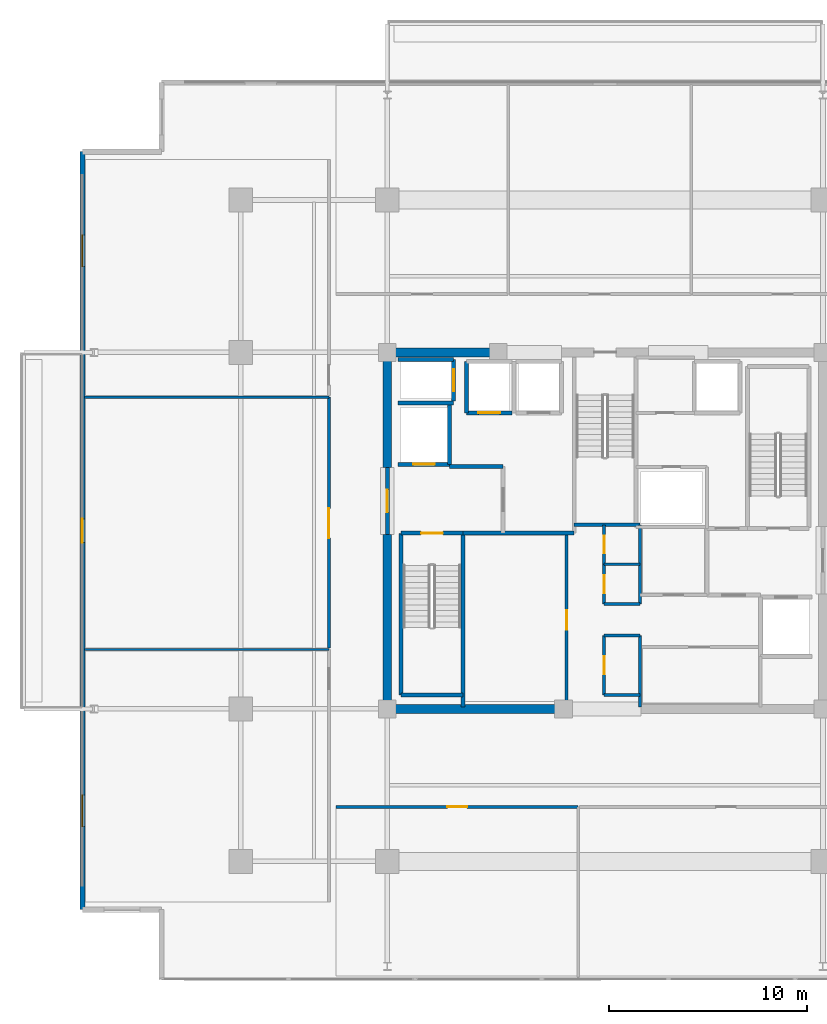
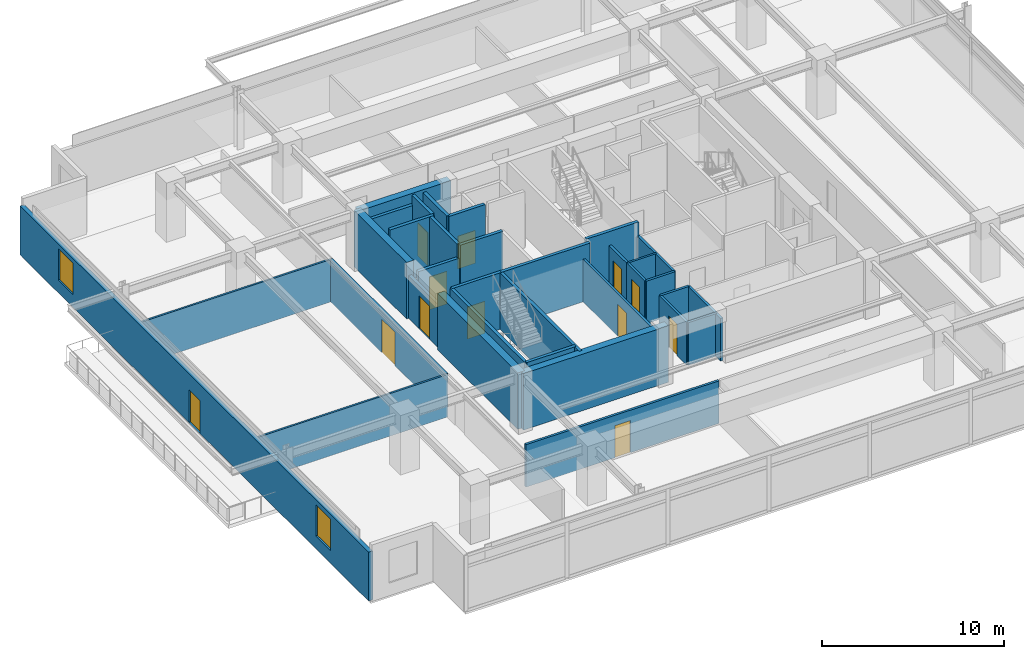
# One storey, part 13 of 18: 34 walls, 12 doors, 2 windows, 14 openings.
"""IFC4 building model written with IfcOpenShell, lengths in metres."""

from ifc_helpers import new_model, si_unit, direction, frame, frame_2d, origin, place, context, subcontext, project, spatial, rectangle, extrude, material, layer, layer_set, type_object, element, fill, save


model = new_model("IFC4")

# Units and contexts
model_context = context("Model", 3, precision=1e-05, world=origin(), true_north=direction((0.0, 1.0)))
body_context = subcontext(model_context, "Body", "Model", "MODEL_VIEW")
ifc_project = project(units=[si_unit("LENGTHUNIT", "METRE"), si_unit("AREAUNIT", "SQUARE_METRE"), si_unit("VOLUMEUNIT", "CUBIC_METRE"), si_unit("PLANEANGLEUNIT", "RADIAN"), si_unit("MASSUNIT", "GRAM", prefix="KILO")], contexts=[model_context])

# Site, building, storey
site_placement = place(None, origin())
site = spatial("IfcSite", under=ifc_project, at=site_placement, CompositionType="ELEMENT")
building_placement = place(site_placement, origin())
building = spatial("IfcBuilding", under=site, at=building_placement, Name="Kovane Verandah Tower", CompositionType="ELEMENT")
storey_placement = place(building_placement, frame((0.0, 0.0, 251.199951171875)))
storey = spatial("IfcBuildingStorey", under=building, at=storey_placement, Name="L58", CompositionType="ELEMENT", Elevation=251.199951171875)

# Walls
ifc_material_1 = material(Name="Fire-Rated Gypsum Stud Partition", Category="gypsum")
ifc_layer_1 = layer(ifc_material_1, 0.14990234375)
ifc_layer_set_1 = layer_set([ifc_layer_1], Name="Fire-Rated Gypsum Stud Partition")
wall_type_1 = type_object("IfcWallType", Name="WL-COR-150", PredefinedType="PARTITIONING", material=ifc_layer_set_1)
for number, where, z_axis, x_axis, name in (
    (1, (39.949951171875, 19.199951171875, 0.0), (0.0, 0.0, 1.0), (1.0, 0.0, 0.0), "L58 Central Core Strip South Wall"),
    (2, (39.949951171875, 22.199951171875, 0.0), (0.0, 0.0, 1.0), (1.0, 0.0, 0.0), "L58 Core Cross-Passage South Wall"),
    (3, (39.949951171875, 23.800048828125, 0.0), (0.0, 0.0, 1.0), (1.0, 0.0, 0.0), "L58 Core Cross-Passage North Wall"),
):
    element("IfcWall", number, at=place(storey_placement, frame(where, z_axis=z_axis, x_axis=x_axis)), inside=storey, type_object=wall_type_1, Name=name, PredefinedType="PARTITIONING", context=body_context, shape_type="SweptSolid", body=[
        extrude(rectangle(XDim=1.81005859375, YDim=0.14990234375, at=frame_2d((0.905029296875, 0.0))), origin(), (0.0, 0.0, 1.0), 2.85009765625),
    ])
wall_1_placement = place(storey_placement, frame((41.760009765625, 18.60009765625, 0.0), z_axis=(0.0, 0.0, 1.0), x_axis=(0.0, 1.0, 0.0)))
element("IfcWall", 4, at=wall_1_placement, inside=storey, type_object=wall_type_1, Name="L58 Central Core Strip Lower East Wall", PredefinedType="PARTITIONING", context=body_context, shape_type="SweptSolid", body=[
    extrude(rectangle(XDim=3.599853515625, YDim=0.14990234375, at=frame_2d((1.7998046875, 0.0))), origin(), (0.0, 0.0, 1.0), 2.85009765625),
])
wall_2_placement = place(storey_placement, frame((41.760009765625, 23.800048828125, 0.0), z_axis=(0.0, 0.0, 1.0), x_axis=(0.0, 1.0, 0.0)))
element("IfcWall", 5, at=wall_2_placement, inside=storey, type_object=wall_type_1, Name="L58 Central Core Strip Upper East Wall", PredefinedType="PARTITIONING", context=body_context, shape_type="SweptSolid", body=[
    extrude(rectangle(XDim=4.0, YDim=0.14990234375, at=frame_2d((2.0, 0.0))), origin(), (0.0, 0.0, 1.0), 2.85009765625),
])

# Wall, opening, door
wall_3_placement = place(storey_placement, frame((39.949951171875, 19.199951171875, 0.0), z_axis=(0.0, 0.0, 1.0), x_axis=(0.0, 1.0, 0.0)))
wall_3 = element("IfcWall", 6, at=wall_3_placement, inside=storey, type_object=wall_type_1, Name="L58 Male Toilet Partition", PredefinedType="PARTITIONING", context=body_context, shape_type="SweptSolid", body=[
    extrude(rectangle(XDim=3.0, YDim=0.14990234375, at=frame_2d((1.5, 0.0))), origin(), (0.0, 0.0, 1.0), 2.85009765625),
])
opening_1_placement = place(wall_3_placement, frame((1.050048828125, 0.0, 0.0)))
opening_1 = element("IfcOpeningElement", 7, at=opening_1_placement, cuts=wall_3, Name="Opening DR-L58-024", PredefinedType="OPENING", context=body_context, shape_type="SweptSolid", body=[
    extrude(rectangle(XDim=0.89990234375, YDim=2.10009765625, at=frame_2d((0.449951171875, 1.050048828125))), frame((0.0, 0.074951171875, 0.0), z_axis=(0.0, -1.0, 0.0), x_axis=(1.0, 0.0, 0.0)), (0.0, 0.0, 1.0), 0.14990234375),
])
ifc_material_2 = material(Name="Moisture-Resistant Laminate Washroom Door", Category="wood")
door_type_1 = type_object("IfcDoorType", Name="DR-WC-900", OperationType="SINGLE_SWING_LEFT", PredefinedType="DOOR", material=ifc_material_2)
door_1_placement = place(opening_1_placement, origin())
door_1 = element("IfcDoor", 8, at=door_1_placement, inside=storey, type_object=door_type_1, Name="L58 Male Toilet Door", OperationType="SINGLE_SWING_LEFT", OverallHeight=2.10009765625, OverallWidth=0.89990234375, PredefinedType="DOOR", context=body_context, shape_type="SweptSolid", body=[
    extrude(rectangle(XDim=0.89990234375, YDim=2.10009765625, at=frame_2d((0.449951171875, 1.050048828125))), frame((0.0, 0.02490234375, 0.0), z_axis=(0.0, -1.0, 0.0), x_axis=(1.0, 0.0, 0.0)), (0.0, 0.0, 1.0), 0.050048828125),
])
fill(opening_1, door_1)

wall_4_placement = place(storey_placement, frame((39.949951171875, 23.800048828125, 0.0), z_axis=(0.0, 0.0, 1.0), x_axis=(0.0, 1.0, 0.0)))
wall_4 = element("IfcWall", 9, at=wall_4_placement, inside=storey, type_object=wall_type_1, Name="L58 Female Toilet Partition", PredefinedType="PARTITIONING", context=body_context, shape_type="SweptSolid", body=[
    extrude(rectangle(XDim=2.0, YDim=0.14990234375, at=frame_2d((1.0, 0.0))), origin(), (0.0, 0.0, 1.0), 2.85009765625),
])
opening_2_placement = place(wall_4_placement, frame((0.550048828125, 0.0, 0.0)))
opening_2 = element("IfcOpeningElement", 10, at=opening_2_placement, cuts=wall_4, Name="Opening DR-L58-023", PredefinedType="OPENING", context=body_context, shape_type="SweptSolid", body=[
    extrude(rectangle(XDim=0.89990234375, YDim=2.10009765625, at=frame_2d((0.449951171875, 1.050048828125))), frame((0.0, 0.074951171875, 0.0), z_axis=(0.0, -1.0, 0.0), x_axis=(1.0, 0.0, 0.0)), (0.0, 0.0, 1.0), 0.14990234375),
])
door_2_placement = place(opening_2_placement, origin())
door_2 = element("IfcDoor", 11, at=door_2_placement, inside=storey, type_object=door_type_1, Name="L58 Female Toilet Door", OperationType="SINGLE_SWING_RIGHT", OverallHeight=2.10009765625, OverallWidth=0.89990234375, PredefinedType="DOOR", context=body_context, shape_type="SweptSolid", body=[
    extrude(rectangle(XDim=0.89990234375, YDim=2.10009765625, at=frame_2d((0.449951171875, 1.050048828125))), frame((0.0, 0.02490234375, 0.0), z_axis=(0.0, -1.0, 0.0), x_axis=(1.0, 0.0, 0.0)), (0.0, 0.0, 1.0), 0.050048828125),
])
fill(opening_2, door_2)

wall_5_placement = place(storey_placement, frame((39.949951171875, 25.800048828125, 0.0), z_axis=(0.0, 0.0, 1.0), x_axis=(0.0, 1.0, 0.0)))
wall_5 = element("IfcWall", 12, at=wall_5_placement, inside=storey, type_object=wall_type_1, Name="L58 Accessible Unisex Toilet Partition", PredefinedType="PARTITIONING", context=body_context, shape_type="SweptSolid", body=[
    extrude(rectangle(XDim=2.0, YDim=0.14990234375, at=frame_2d((1.0, 0.0))), origin(), (0.0, 0.0, 1.0), 2.85009765625),
])
opening_3_placement = place(wall_5_placement, frame((0.550048828125, 0.0, 0.0)))
opening_3 = element("IfcOpeningElement", 13, at=opening_3_placement, cuts=wall_5, Name="Opening DR-L58-022", PredefinedType="OPENING", context=body_context, shape_type="SweptSolid", body=[
    extrude(rectangle(XDim=0.89990234375, YDim=2.10009765625, at=frame_2d((0.449951171875, 1.050048828125))), frame((0.0, 0.074951171875, 0.0), z_axis=(0.0, -1.0, 0.0), x_axis=(1.0, 0.0, 0.0)), (0.0, 0.0, 1.0), 0.14990234375),
])
door_3_placement = place(opening_3_placement, origin())
door_3 = element("IfcDoor", 14, at=door_3_placement, inside=storey, type_object=door_type_1, Name="L58 Accessible Unisex Toilet Door", OperationType="SINGLE_SWING_LEFT", OverallHeight=2.10009765625, OverallWidth=0.89990234375, PredefinedType="DOOR", context=body_context, shape_type="SweptSolid", body=[
    extrude(rectangle(XDim=0.89990234375, YDim=2.10009765625, at=frame_2d((0.449951171875, 1.050048828125))), frame((0.0, 0.02490234375, 0.0), z_axis=(0.0, -1.0, 0.0), x_axis=(1.0, 0.0, 0.0)), (0.0, 0.0, 1.0), 0.050048828125),
])
fill(opening_3, door_3)

wall_6_placement = place(storey_placement, frame((38.050048828125, 18.60009765625, 0.0), z_axis=(0.0, 0.0, 1.0), x_axis=(0.0, 1.0, 0.0)))
wall_6 = element("IfcWall", 15, at=wall_6_placement, inside=storey, type_object=wall_type_1, Name="L58 Tenant Wellness and Archive Suite Partition", PredefinedType="PARTITIONING", context=body_context, shape_type="SweptSolid", body=[
    extrude(rectangle(XDim=8.77978515625, YDim=0.14990234375, at=frame_2d((4.389892578125, 0.0))), origin(), (0.0, 0.0, 1.0), 2.85009765625),
])
opening_4_placement = place(wall_6_placement, frame((3.889892578125, 0.0, 0.0)))
opening_4 = element("IfcOpeningElement", 16, at=opening_4_placement, cuts=wall_6, Name="Opening DR-L58-012", PredefinedType="OPENING", context=body_context, shape_type="SweptSolid", body=[
    extrude(rectangle(XDim=1.0, YDim=2.14990234375, at=frame_2d((0.5, 1.074951171875))), frame((0.0, 0.074951171875, 0.0), z_axis=(0.0, -1.0, 0.0), x_axis=(1.0, 0.0, 0.0)), (0.0, 0.0, 1.0), 0.14990234375),
])
ifc_material_3 = material(Name="FSC Spotted-Gum Timber Fire-Rated Office Door", Category="wood")
door_type_2 = type_object("IfcDoorType", Name="DR-OFF-1000", OperationType="SINGLE_SWING_LEFT", PredefinedType="DOOR", material=ifc_material_3)
door_4_placement = place(opening_4_placement, origin())
door_4 = element("IfcDoor", 17, at=door_4_placement, inside=storey, type_object=door_type_2, Name="L58 Tenant Wellness and Archive Suite Door", OperationType="SINGLE_SWING_RIGHT", OverallHeight=2.14990234375, OverallWidth=1.0, PredefinedType="DOOR", context=body_context, shape_type="SweptSolid", body=[
    extrude(rectangle(XDim=1.0, YDim=2.14990234375, at=frame_2d((0.5, 1.074951171875))), frame((0.0, 0.02490234375, 0.0), z_axis=(0.0, -1.0, 0.0), x_axis=(1.0, 0.0, 0.0)), (0.0, 0.0, 1.0), 0.050048828125),
])
fill(opening_4, door_4)

wall_7_placement = place(storey_placement, frame((26.39990234375, 13.550048828125, 0.0), z_axis=(0.0, 0.0, 1.0), x_axis=(1.0, 0.0, 0.0)))
wall_7 = element("IfcWall", 18, at=wall_7_placement, inside=storey, type_object=wall_type_1, Name="L58 Document and Print Room S1 Corridor Partition", PredefinedType="PARTITIONING", context=body_context, shape_type="SweptSolid", body=[
    extrude(rectangle(XDim=12.239990234375, YDim=0.14990234375, at=frame_2d((6.1201171875, 0.0))), origin(), (0.0, 0.0, 1.0), 2.85009765625),
])
opening_5_placement = place(wall_7_placement, frame((5.635009765625, 0.0, 0.0)))
opening_5 = element("IfcOpeningElement", 19, at=opening_5_placement, cuts=wall_7, Name="Opening DR-L58-020", PredefinedType="OPENING", context=body_context, shape_type="SweptSolid", body=[
    extrude(rectangle(XDim=1.0, YDim=2.14990234375, at=frame_2d((0.5, 1.074951171875))), frame((0.0, 0.074951171875, 0.0), z_axis=(0.0, -1.0, 0.0), x_axis=(1.0, 0.0, 0.0)), (0.0, 0.0, 1.0), 0.14990234375),
])
door_5_placement = place(opening_5_placement, origin())
door_5 = element("IfcDoor", 20, at=door_5_placement, inside=storey, type_object=door_type_2, Name="L58 Document and Print Room S1 Entrance Door", OperationType="SINGLE_SWING_RIGHT", OverallHeight=2.14990234375, OverallWidth=1.0, PredefinedType="DOOR", context=body_context, shape_type="SweptSolid", body=[
    extrude(rectangle(XDim=1.0, YDim=2.14990234375, at=frame_2d((0.5, 1.074951171875))), frame((0.0, 0.02490234375, 0.0), z_axis=(0.0, -1.0, 0.0), x_axis=(1.0, 0.0, 0.0)), (0.0, 0.0, 1.0), 0.050048828125),
])
fill(opening_5, door_5)

wall_8_placement = place(storey_placement, frame((26.050048828125, 21.573974609375, 0.0), z_axis=(0.0, 0.0, 1.0), x_axis=(0.0, 1.0, 0.0)))
wall_8 = element("IfcWall", 21, at=wall_8_placement, inside=storey, type_object=wall_type_1, Name="L58 Client Boardroom W2 Corridor Partition", PredefinedType="PARTITIONING", context=body_context, shape_type="SweptSolid", body=[
    extrude(rectangle(XDim=12.671630859375, YDim=0.14990234375, at=frame_2d((6.3359375, 0.0))), origin(), (0.0, 0.0, 1.0), 2.85009765625),
])
opening_6_placement = place(wall_8_placement, frame((5.55078125, 0.0, 0.0)))
opening_6 = element("IfcOpeningElement", 22, at=opening_6_placement, cuts=wall_8, Name="Opening DR-L58-026", PredefinedType="OPENING", context=body_context, shape_type="SweptSolid", body=[
    extrude(rectangle(XDim=1.5, YDim=2.25, at=frame_2d((0.75, 1.125))), frame((0.0, 0.074951171875, 0.0), z_axis=(0.0, -1.0, 0.0), x_axis=(1.0, 0.0, 0.0)), (0.0, 0.0, 1.0), 0.14990234375),
])
ifc_material_4 = material(Name="Glazed Timber Fire-Rated Double Door", Category="wood")
door_type_3 = type_object("IfcDoorType", Name="DR-CONF-1500", OperationType="DOUBLE_DOOR_SINGLE_SWING", PredefinedType="DOOR", material=ifc_material_4)
door_6_placement = place(opening_6_placement, origin())
door_6 = element("IfcDoor", 23, at=door_6_placement, inside=storey, type_object=door_type_3, Name="L58 Client Boardroom W2 Entrance Door", OperationType="DOUBLE_DOOR_SINGLE_SWING", OverallHeight=2.25, OverallWidth=1.5, PredefinedType="DOOR", context=body_context, shape_type="SweptSolid", body=[
    extrude(rectangle(XDim=1.5, YDim=2.25, at=frame_2d((0.75, 1.125))), frame((0.0, 0.02490234375, 0.0), z_axis=(0.0, -1.0, 0.0), x_axis=(1.0, 0.0, 0.0)), (0.0, 0.0, 1.0), 0.050048828125),
])
fill(opening_6, door_6)

# Walls
ifc_material_5 = material(Name="Concrete C60/75", Category="concrete")
ifc_layer_2 = layer(ifc_material_5, 0.449951171875)
ifc_layer_set_2 = layer_set([ifc_layer_2], Name="Concrete C60/75")
wall_type_2 = type_object("IfcWallType", Name="WL-CORE-450", PredefinedType="SHEAR", material=ifc_layer_set_2)
wall_9_placement = place(storey_placement, frame((29.0, 18.5, 0.0), z_axis=(0.0, 0.0, 1.0), x_axis=(1.0, 0.0, 0.0)))
element("IfcWall", 24, at=wall_9_placement, inside=storey, type_object=wall_type_2, Name="L58 Core Shear Wall CS-1", PredefinedType="SHEAR", context=body_context, shape_type="SweptSolid", body=[
    extrude(rectangle(XDim=9.199951171875, YDim=0.449951171875, at=frame_2d((4.60009765625, 0.0))), origin(), (0.0, 0.0, 1.0), 3.78515625),
])
wall_10_placement = place(storey_placement, frame((29.0, 36.5, 0.0), z_axis=(0.0, 0.0, 1.0), x_axis=(1.0, 0.0, 0.0)))
element("IfcWall", 25, at=wall_10_placement, inside=storey, type_object=wall_type_2, Name="L58 Core Shear Wall CN-1", PredefinedType="SHEAR", context=body_context, shape_type="SweptSolid", body=[
    extrude(rectangle(XDim=5.800048828125, YDim=0.449951171875, at=frame_2d((2.89990234375, 0.0))), origin(), (0.0, 0.0, 1.0), 3.78515625),
])
wall_11_placement = place(storey_placement, frame((29.0, 18.5, 0.0), z_axis=(0.0, 0.0, 1.0), x_axis=(0.0, 1.0, 0.0)))
element("IfcWall", 26, at=wall_11_placement, inside=storey, type_object=wall_type_2, Name="L58 Core Shear Wall CW-1", PredefinedType="SHEAR", context=body_context, shape_type="SweptSolid", body=[
    extrude(rectangle(XDim=8.800048828125, YDim=0.449951171875, at=frame_2d((4.39990234375, 0.0))), origin(), (0.0, 0.0, 1.0), 3.78515625),
])
wall_12_placement = place(storey_placement, frame((29.0, 30.699951171875, 0.0), z_axis=(0.0, 0.0, 1.0), x_axis=(0.0, 1.0, 0.0)))
element("IfcWall", 27, at=wall_12_placement, inside=storey, type_object=wall_type_2, Name="L58 Core Shear Wall CW-2", PredefinedType="SHEAR", context=body_context, shape_type="SweptSolid", body=[
    extrude(rectangle(XDim=5.800048828125, YDim=0.449951171875, at=frame_2d((2.89990234375, 0.0))), origin(), (0.0, 0.0, 1.0), 3.78515625),
])

# Wall, opening, door
ifc_material_6 = material(Name="Concrete C45/55 Fire Wall", Category="concrete")
ifc_layer_3 = layer(ifc_material_6, 0.199951171875)
ifc_layer_set_3 = layer_set([ifc_layer_3], Name="Concrete C45/55 Fire Wall")
wall_type_3 = type_object("IfcWallType", Name="WL-FFL-200", PredefinedType="PARTITIONING", material=ifc_layer_set_3)
wall_13_placement = place(storey_placement, frame((29.0, 27.300048828125, 0.0), z_axis=(0.0, 0.0, 1.0), x_axis=(0.0, 1.0, 0.0)))
wall_13 = element("IfcWall", 28, at=wall_13_placement, inside=storey, type_object=wall_type_3, Name="W-L58-FFLW-OUT", PredefinedType="PARTITIONING", context=body_context, shape_type="SweptSolid", body=[
    extrude(rectangle(XDim=3.39990234375, YDim=0.199951171875, at=frame_2d((1.699951171875, 0.0))), origin(), (0.0, 0.0, 1.0), 2.864990234375),
])
opening_7_placement = place(wall_13_placement, frame((1.125, 0.0, 0.0)))
opening_7 = element("IfcOpeningElement", 29, at=opening_7_placement, cuts=wall_13, Name="Opening DR-L58-007", PredefinedType="OPENING", context=body_context, shape_type="SweptSolid", body=[
    extrude(rectangle(XDim=1.14990234375, YDim=2.199951171875, at=frame_2d((0.574951171875, 1.10009765625))), frame((0.0, 0.10009765625, 0.0), z_axis=(0.0, -1.0, 0.0), x_axis=(1.0, 0.0, 0.0)), (0.0, 0.0, 1.0), 0.199951171875),
])
ifc_material_7 = material(Name="Smoke-Sealed Firefighting Lobby Door", Category="steel")
door_type_4 = type_object("IfcDoorType", Name="DR-FFL-1150", OperationType="SINGLE_SWING_LEFT", PredefinedType="DOOR", material=ifc_material_7)
door_7_placement = place(opening_7_placement, origin())
door_7 = element("IfcDoor", 30, at=door_7_placement, inside=storey, type_object=door_type_4, Name="L58 West Firefighting Lobby Corridor Door", OperationType="SINGLE_SWING_RIGHT", OverallHeight=2.199951171875, OverallWidth=1.14990234375, PredefinedType="DOOR", context=body_context, shape_type="SweptSolid", body=[
    extrude(rectangle(XDim=1.14990234375, YDim=2.199951171875, at=frame_2d((0.574951171875, 1.10009765625))), frame((0.0, 0.02490234375, 0.0), z_axis=(0.0, -1.0, 0.0), x_axis=(1.0, 0.0, 0.0)), (0.0, 0.0, 1.0), 0.050048828125),
])
fill(opening_7, door_7)

# Walls
wall_14_placement = place(storey_placement, frame((32.820068359375, 27.3798828125, 0.0), z_axis=(0.0, 0.0, 1.0), x_axis=(1.0, 0.0, 0.0)))
element("IfcWall", 31, at=wall_14_placement, inside=storey, type_object=wall_type_3, Name="L58 West Firefighting Lobby South Fire Wall", PredefinedType="PARTITIONING", context=body_context, shape_type="SweptSolid", body=[
    extrude(rectangle(XDim=5.619873046875, YDim=0.199951171875, at=frame_2d((2.81005859375, 0.0))), origin(), (0.0, 0.0, 1.0), 3.78515625),
])
wall_15_placement = place(storey_placement, frame((32.14990234375, 30.75, 0.0), z_axis=(0.0, 0.0, 1.0), x_axis=(1.0, 0.0, 0.0)))
element("IfcWall", 32, at=wall_15_placement, inside=storey, type_object=wall_type_3, Name="L58 West Firefighting Lobby North Fire Wall", PredefinedType="PARTITIONING", context=body_context, shape_type="SweptSolid", body=[
    extrude(rectangle(XDim=2.7001953125, YDim=0.199951171875, at=frame_2d((1.35009765625, 0.0))), origin(), (0.0, 0.0, 1.0), 3.78515625),
])

# Wall, opening, door
ifc_material_8 = material(Name="Concrete C45/55 Lift Shaft Wall", Category="concrete")
ifc_layer_4 = layer(ifc_material_8, 0.199951171875)
ifc_layer_set_4 = layer_set([ifc_layer_4], Name="Concrete C45/55 Lift Shaft Wall")
wall_type_4 = type_object("IfcWallType", Name="WL-LIFT-200", PredefinedType="SOLIDWALL", material=ifc_layer_set_4)
wall_16_placement = place(storey_placement, frame((29.550048828125, 30.85009765625, 0.0), z_axis=(0.0, 0.0, 1.0), x_axis=(1.0, 0.0, 0.0)))
wall_16 = element("IfcWall", 33, at=wall_16_placement, inside=storey, type_object=wall_type_4, Name="L58 Lift FL-01 S Shaft Wall", PredefinedType="SOLIDWALL", context=body_context, shape_type="SweptSolid", body=[
    extrude(rectangle(XDim=2.599853515625, YDim=0.199951171875, at=frame_2d((1.2998046875, 0.0))), origin(), (0.0, 0.0, 1.0), 2.864990234375),
])
opening_8_placement = place(wall_16_placement, frame((0.75, 0.0, 0.0)))
opening_8 = element("IfcOpeningElement", 34, at=opening_8_placement, cuts=wall_16, Name="Opening LD-L58-001", PredefinedType="OPENING", context=body_context, shape_type="SweptSolid", body=[
    extrude(rectangle(XDim=1.10009765625, YDim=2.199951171875, at=frame_2d((0.550048828125, 1.10009765625))), frame((0.0, 0.10009765625, 0.0), z_axis=(0.0, -1.0, 0.0), x_axis=(1.0, 0.0, 0.0)), (0.0, 0.0, 1.0), 0.199951171875),
])
ifc_material_9 = material(Name="Brushed Stainless Steel Sliding Lift Landing Door", Category="steel")
door_type_5 = type_object("IfcDoorType", Name="DR-LIFT-1100", OperationType="SLIDING_TO_RIGHT", PredefinedType="DOOR", material=ifc_material_9)
door_8_placement = place(opening_8_placement, origin())
door_8 = element("IfcDoor", 35, at=door_8_placement, inside=storey, type_object=door_type_5, Name="L58 Lift FL-01 Sliding Landing Door", OperationType="SLIDING_TO_RIGHT", OverallHeight=2.199951171875, OverallWidth=1.10009765625, PredefinedType="DOOR", context=body_context, shape_type="SweptSolid", body=[
    extrude(rectangle(XDim=1.10009765625, YDim=2.199951171875, at=frame_2d((0.550048828125, 1.10009765625))), frame((0.0, 0.02490234375, 0.0), z_axis=(0.0, -1.0, 0.0), x_axis=(1.0, 0.0, 0.0)), (0.0, 0.0, 1.0), 0.050048828125),
])
fill(opening_8, door_8)

# Walls
wall_17_placement = place(storey_placement, frame((29.550048828125, 33.949951171875, 0.0), z_axis=(0.0, 0.0, 1.0), x_axis=(1.0, 0.0, 0.0)))
element("IfcWall", 36, at=wall_17_placement, inside=storey, type_object=wall_type_4, Name="L58 Lift FL-01 and GL-01 Shared Shaft Wall", PredefinedType="SOLIDWALL", context=body_context, shape_type="SweptSolid", body=[
    extrude(rectangle(XDim=2.800048828125, YDim=0.199951171875, at=frame_2d((1.39990234375, 0.0))), origin(), (0.0, 0.0, 1.0), 3.78515625),
])
wall_18_placement = place(storey_placement, frame((32.14990234375, 30.85009765625, 0.0), z_axis=(0.0, 0.0, 1.0), x_axis=(0.0, 1.0, 0.0)))
element("IfcWall", 37, at=wall_18_placement, inside=storey, type_object=wall_type_4, Name="L58 Lift FL-01 E Shaft Wall", PredefinedType="SOLIDWALL", context=body_context, shape_type="SweptSolid", body=[
    extrude(rectangle(XDim=3.0, YDim=0.199951171875, at=frame_2d((1.5, 0.0))), origin(), (0.0, 0.0, 1.0), 3.78515625),
])
wall_19_placement = place(storey_placement, frame((32.35009765625, 36.14990234375, 0.0), z_axis=(0.0, 0.0, 1.0), x_axis=(-1.0, 0.0, 0.0)))
element("IfcWall", 38, at=wall_19_placement, inside=storey, type_object=wall_type_4, Name="L58 Lift GL-01 N Shaft Wall", PredefinedType="SOLIDWALL", context=body_context, shape_type="SweptSolid", body=[
    extrude(rectangle(XDim=2.800048828125, YDim=0.199951171875, at=frame_2d((1.39990234375, 0.0))), origin(), (0.0, 0.0, 1.0), 3.14794921875),
])

# Wall, opening, door
wall_20_placement = place(storey_placement, frame((32.35009765625, 34.050048828125, 0.0), z_axis=(0.0, 0.0, 1.0), x_axis=(0.0, 1.0, 0.0)))
wall_20 = element("IfcWall", 39, at=wall_20_placement, inside=storey, type_object=wall_type_4, Name="L58 Lift GL-01 E Shaft Wall", PredefinedType="SOLIDWALL", context=body_context, shape_type="SweptSolid", body=[
    extrude(rectangle(XDim=2.099853515625, YDim=0.199951171875, at=frame_2d((1.0498046875, 0.0))), origin(), (0.0, 0.0, 1.0), 3.78515625),
])
opening_9_placement = place(wall_20_placement, frame((0.5, 0.0, 0.0)))
opening_9 = element("IfcOpeningElement", 40, at=opening_9_placement, cuts=wall_20, Name="Opening LD-L58-003", PredefinedType="OPENING", context=body_context, shape_type="SweptSolid", body=[
    extrude(rectangle(XDim=1.10009765625, YDim=2.199951171875, at=frame_2d((0.550048828125, 1.10009765625))), frame((0.0, 0.10009765625, 0.0), z_axis=(0.0, -1.0, 0.0), x_axis=(1.0, 0.0, 0.0)), (0.0, 0.0, 1.0), 0.199951171875),
])
door_9_placement = place(opening_9_placement, origin())
door_9 = element("IfcDoor", 41, at=door_9_placement, inside=storey, type_object=door_type_5, Name="L58 Lift GL-01 Sliding Landing Door", OperationType="SLIDING_TO_RIGHT", OverallHeight=2.199951171875, OverallWidth=1.10009765625, PredefinedType="DOOR", context=body_context, shape_type="SweptSolid", body=[
    extrude(rectangle(XDim=1.10009765625, YDim=2.199951171875, at=frame_2d((0.550048828125, 1.10009765625))), frame((0.0, 0.02490234375, 0.0), z_axis=(0.0, -1.0, 0.0), x_axis=(1.0, 0.0, 0.0)), (0.0, 0.0, 1.0), 0.050048828125),
])
fill(opening_9, door_9)

wall_21_placement = place(storey_placement, frame((33.0, 33.449951171875, 0.0), z_axis=(0.0, 0.0, 1.0), x_axis=(1.0, 0.0, 0.0)))
wall_21 = element("IfcWall", 42, at=wall_21_placement, inside=storey, type_object=wall_type_4, Name="L58 Lift PL-H1 S Shaft Wall", PredefinedType="SOLIDWALL", context=body_context, shape_type="SweptSolid", body=[
    extrude(rectangle(XDim=2.300048828125, YDim=0.199951171875, at=frame_2d((1.14990234375, 0.0))), origin(), (0.0, 0.0, 1.0), 3.78515625),
])
opening_10_placement = place(wall_21_placement, frame((0.60009765625, 0.0, 0.0)))
opening_10 = element("IfcOpeningElement", 43, at=opening_10_placement, cuts=wall_21, Name="Opening LD-L58-004", PredefinedType="OPENING", context=body_context, shape_type="SweptSolid", body=[
    extrude(rectangle(XDim=1.10009765625, YDim=2.199951171875, at=frame_2d((0.550048828125, 1.10009765625))), frame((0.0, 0.10009765625, 0.0), z_axis=(0.0, -1.0, 0.0), x_axis=(1.0, 0.0, 0.0)), (0.0, 0.0, 1.0), 0.199951171875),
])
door_10_placement = place(opening_10_placement, origin())
door_10 = element("IfcDoor", 44, at=door_10_placement, inside=storey, type_object=door_type_5, Name="L58 Lift PL-H1 Sliding Landing Door", OperationType="SLIDING_TO_RIGHT", OverallHeight=2.199951171875, OverallWidth=1.10009765625, PredefinedType="DOOR", context=body_context, shape_type="SweptSolid", body=[
    extrude(rectangle(XDim=1.10009765625, YDim=2.199951171875, at=frame_2d((0.550048828125, 1.10009765625))), frame((0.0, 0.02490234375, 0.0), z_axis=(0.0, -1.0, 0.0), x_axis=(1.0, 0.0, 0.0)), (0.0, 0.0, 1.0), 0.050048828125),
])
fill(opening_10, door_10)

# Walls
wall_22_placement = place(storey_placement, frame((33.0, 36.050048828125, 0.0), z_axis=(0.0, 0.0, 1.0), x_axis=(0.0, -1.0, 0.0)))
element("IfcWall", 45, at=wall_22_placement, inside=storey, type_object=wall_type_4, Name="L58 Lift PL-H1 W Shaft Wall", PredefinedType="SOLIDWALL", context=body_context, shape_type="SweptSolid", body=[
    extrude(rectangle(XDim=2.60009765625, YDim=0.199951171875, at=frame_2d((1.300048828125, 0.0))), origin(), (0.0, 0.0, 1.0), 3.78515625),
])
ifc_material_10 = material(Name="Acoustic Fire-Rated Gypsum Partition", Category="gypsum")
ifc_layer_5 = layer(ifc_material_10, 0.1201171875)
ifc_layer_set_5 = layer_set([ifc_layer_5], Name="Acoustic Fire-Rated Gypsum Partition")
wall_type_5 = type_object("IfcWallType", Name="WL-PART-120", PredefinedType="PARTITIONING", material=ifc_layer_set_5)
wall_23_placement = place(storey_placement, frame((39.949951171875, 25.800048828125, 0.0), z_axis=(0.0, 0.0, 1.0), x_axis=(1.0, 0.0, 0.0)))
element("IfcWall", 46, at=wall_23_placement, inside=storey, type_object=wall_type_5, Name="L58 Central Core Strip Upper Dividing Partition", PredefinedType="PARTITIONING", context=body_context, shape_type="SweptSolid", body=[
    extrude(rectangle(XDim=1.81005859375, YDim=0.1201171875, at=frame_2d((0.905029296875, 0.0))), origin(), (0.0, 0.0, 1.0), 2.85009765625),
])
for number, where, z_axis, x_axis, name in (
    (47, (13.70361328125, 21.50390625, 0.0), (0.0, 0.0, 1.0), (1.0, 0.0, 0.0), "L58 Executive Office W1 Dividing Partition"),
    (48, (13.70361328125, 34.24560546875, 0.0), (0.0, 0.0, 1.0), (1.0, 0.0, 0.0), "L58 Client Boardroom W2 Dividing Partition"),
):
    element("IfcWall", number, at=place(storey_placement, frame(where, z_axis=z_axis, x_axis=x_axis)), inside=storey, type_object=wall_type_5, Name=name, PredefinedType="PARTITIONING", context=body_context, shape_type="SweptSolid", body=[
        extrude(rectangle(XDim=12.346435546875, YDim=0.1201171875, at=frame_2d((6.17333984375, 0.0))), origin(), (0.0, 0.0, 1.0), 2.85009765625),
    ])
ifc_material_11 = material(Name="Concrete C45/55", Category="concrete")
ifc_layer_6 = layer(ifc_material_11, 0.199951171875)
ifc_layer_set_6 = layer_set([ifc_layer_6], Name="Concrete C45/55")
wall_type_6 = type_object("IfcWallType", Name="WL-SHAFT-200", PredefinedType="SOLIDWALL", material=ifc_layer_set_6)
wall_24_placement = place(storey_placement, frame((29.699951171875, 19.199951171875, 0.0), z_axis=(0.0, 0.0, 1.0), x_axis=(0.0, 1.0, 0.0)))
element("IfcWall", 49, at=wall_24_placement, inside=storey, type_object=wall_type_6, Name="W-L58-ST01-W", PredefinedType="SOLIDWALL", context=body_context, shape_type="SweptSolid", body=[
    extrude(rectangle(XDim=8.150146484375, YDim=0.199951171875, at=frame_2d((4.0751953125, 0.0))), origin(), (0.0, 0.0, 1.0), 3.78515625),
])
wall_25_placement = place(storey_placement, frame((29.699951171875, 19.199951171875, 0.0), z_axis=(0.0, 0.0, 1.0), x_axis=(1.0, 0.0, 0.0)))
element("IfcWall", 50, at=wall_25_placement, inside=storey, type_object=wall_type_6, Name="W-L58-ST01-S", PredefinedType="SOLIDWALL", context=body_context, shape_type="SweptSolid", body=[
    extrude(rectangle(XDim=3.1201171875, YDim=0.199951171875, at=frame_2d((1.56005859375, 0.0))), origin(), (0.0, 0.0, 1.0), 3.78515625),
])
wall_26_placement = place(storey_placement, frame((32.820068359375, 18.60009765625, 0.0), z_axis=(0.0, 0.0, 1.0), x_axis=(0.0, 1.0, 0.0)))
element("IfcWall", 51, at=wall_26_placement, inside=storey, type_object=wall_type_6, Name="W-L58-ST01-E", PredefinedType="SOLIDWALL", context=body_context, shape_type="SweptSolid", body=[
    extrude(rectangle(XDim=8.77978515625, YDim=0.199951171875, at=frame_2d((4.389892578125, 0.0))), origin(), (0.0, 0.0, 1.0), 3.78515625),
])

# Wall, opening, door
wall_27_placement = place(storey_placement, frame((29.699951171875, 27.3798828125, 0.0), z_axis=(0.0, 0.0, 1.0), x_axis=(1.0, 0.0, 0.0)))
wall_27 = element("IfcWall", 52, at=wall_27_placement, inside=storey, type_object=wall_type_6, Name="W-L58-ST01-N", PredefinedType="SOLIDWALL", context=body_context, shape_type="SweptSolid", body=[
    extrude(rectangle(XDim=3.1201171875, YDim=0.199951171875, at=frame_2d((1.56005859375, 0.0))), origin(), (0.0, 0.0, 1.0), 3.78515625),
])
opening_11_placement = place(wall_27_placement, frame((1.010009765625, 0.0, 0.0)))
opening_11 = element("IfcOpeningElement", 53, at=opening_11_placement, cuts=wall_27, Name="Opening DR-L58-008", PredefinedType="OPENING", context=body_context, shape_type="SweptSolid", body=[
    extrude(rectangle(XDim=1.10009765625, YDim=2.14990234375, at=frame_2d((0.550048828125, 1.074951171875))), frame((0.0, 0.10009765625, 0.0), z_axis=(0.0, -1.0, 0.0), x_axis=(1.0, 0.0, 0.0)), (0.0, 0.0, 1.0), 0.199951171875),
])
ifc_material_12 = material(Name="Fire-Rated Steel Exit Door", Category="steel")
door_type_6 = type_object("IfcDoorType", Name="DR-STAIR-1100", OperationType="SINGLE_SWING_LEFT", PredefinedType="DOOR", material=ifc_material_12)
door_11_placement = place(opening_11_placement, origin())
door_11 = element("IfcDoor", 54, at=door_11_placement, inside=storey, type_object=door_type_6, Name="L58 ST-01 Fire Exit Stair Door", OperationType="SINGLE_SWING_RIGHT", OverallHeight=2.14990234375, OverallWidth=1.10009765625, PredefinedType="DOOR", context=body_context, shape_type="SweptSolid", body=[
    extrude(rectangle(XDim=1.10009765625, YDim=2.14990234375, at=frame_2d((0.550048828125, 1.074951171875))), frame((0.0, 0.02490234375, 0.0), z_axis=(0.0, -1.0, 0.0), x_axis=(1.0, 0.0, 0.0)), (0.0, 0.0, 1.0), 0.050048828125),
])
fill(opening_11, door_11)

# Wall
wall_28_placement = place(storey_placement, frame((38.43994140625, 27.800048828125, 0.0), z_axis=(0.0, 0.0, 1.0), x_axis=(1.0, 0.0, 0.0)))
element("IfcWall", 55, at=wall_28_placement, inside=storey, type_object=wall_type_6, Name="W-L58-ST03-S", PredefinedType="SOLIDWALL", context=body_context, shape_type="SweptSolid", body=[
    extrude(rectangle(XDim=3.320068359375, YDim=0.199951171875, at=frame_2d((1.66015625, 0.0))), origin(), (0.0, 0.0, 1.0), 3.78515625),
])

# Wall, openings, door, windows
ifc_material_13 = material(Name="Concrete C45/55 Insulated Spandrel Wall", Category="concrete")
ifc_layer_7 = layer(ifc_material_13, 0.260009765625)
ifc_layer_set_7 = layer_set([ifc_layer_7], Name="Concrete C45/55 Insulated Spandrel Wall")
wall_type_7 = type_object("IfcWallType", Name="WL-SPANDREL-260", PredefinedType="PARAPET", material=ifc_layer_set_7)
wall_29_placement = place(storey_placement, frame((13.603759765625, 46.6376953125, 0.0), z_axis=(0.0, 0.0, 1.0), x_axis=(0.0, -1.0, 0.0)))
wall_29 = element("IfcWall", 56, at=wall_29_placement, inside=storey, type_object=wall_type_7, Name="L58 W Verandah Access Facade Wall", PredefinedType="PARAPET", context=body_context, shape_type="SweptSolid", body=[
    extrude(rectangle(XDim=38.275390625, YDim=0.260009765625, at=frame_2d((19.1376953125, 0.0))), origin(), (0.0, 0.0, 1.0), 3.27294921875),
])
opening_12_placement = place(wall_29_placement, frame((4.199951171875, 0.0, 0.85009765625)))
opening_12 = element("IfcOpeningElement", 57, at=opening_12_placement, cuts=wall_29, Name="Opening W-02", PredefinedType="OPENING", context=body_context, shape_type="SweptSolid", body=[
    extrude(rectangle(XDim=1.60009765625, YDim=2.10009765625, at=frame_2d((0.800048828125, 1.050048828125))), frame((0.0, 0.1298828125, 0.0), z_axis=(0.0, -1.0, 0.0), x_axis=(1.0, 0.0, 0.0)), (0.0, 0.0, 1.0), 0.260009765625),
])
opening_13_placement = place(wall_29_placement, frame((18.53759765625, 0.0, 0.0)))
opening_13 = element("IfcOpeningElement", 58, at=opening_13_placement, cuts=wall_29, Name="Opening DR-L58-002", PredefinedType="OPENING", context=body_context, shape_type="SweptSolid", body=[
    extrude(rectangle(XDim=1.199951171875, YDim=2.199951171875, at=frame_2d((0.60009765625, 1.10009765625))), frame((0.0, 0.1298828125, 0.0), z_axis=(0.0, -1.0, 0.0), x_axis=(1.0, 0.0, 0.0)), (0.0, 0.0, 1.0), 0.260009765625),
])
opening_14_placement = place(wall_29_placement, frame((32.47509765625, 0.0, 0.85009765625)))
opening_14 = element("IfcOpeningElement", 59, at=opening_14_placement, cuts=wall_29, Name="Opening W-02", PredefinedType="OPENING", context=body_context, shape_type="SweptSolid", body=[
    extrude(rectangle(XDim=1.60009765625, YDim=2.10009765625, at=frame_2d((0.800048828125, 1.050048828125))), frame((0.0, 0.1298828125, 0.0), z_axis=(0.0, -1.0, 0.0), x_axis=(1.0, 0.0, 0.0)), (0.0, 0.0, 1.0), 0.260009765625),
])
ifc_material_14 = material(Name="Cyclone-Rated Glazed Balcony Leaf Door", Category="aluminium")
door_type_7 = type_object("IfcDoorType", Name="DR-BAL-1200x2200", OperationType="SINGLE_SWING_LEFT", PredefinedType="DOOR", material=ifc_material_14)
door_12_placement = place(opening_13_placement, origin())
door_12 = element("IfcDoor", 60, at=door_12_placement, inside=storey, type_object=door_type_7, Name="L58 W Planted Balcony Access Door", OperationType="SINGLE_SWING_LEFT", OverallHeight=2.199951171875, OverallWidth=1.199951171875, PredefinedType="DOOR", context=body_context, shape_type="SweptSolid", body=[
    extrude(rectangle(XDim=1.199951171875, YDim=2.199951171875, at=frame_2d((0.60009765625, 1.10009765625))), frame((0.0, 0.02490234375, 0.0), z_axis=(0.0, -1.0, 0.0), x_axis=(1.0, 0.0, 0.0)), (0.0, 0.0, 1.0), 0.050048828125),
])
fill(opening_13, door_12)
ifc_material_15 = material(Name="Clear Low-E Laminated Double Glazing in Anodised Frame", Category="glass")
window_type = type_object("IfcWindowType", Name="WN-OPER-1600x2100", PartitioningType="SINGLE_PANEL", PredefinedType="WINDOW", material=ifc_material_15)
window_1_placement = place(opening_12_placement, origin())
window_1 = element("IfcWindow", 61, at=window_1_placement, inside=storey, type_object=window_type, Name="L58 W Verandah View Window 1", OverallHeight=2.10009765625, OverallWidth=1.60009765625, PartitioningType="SINGLE_PANEL", PredefinedType="WINDOW", context=body_context, shape_type="SweptSolid", body=[
    extrude(rectangle(XDim=1.60009765625, YDim=2.10009765625, at=frame_2d((0.800048828125, 1.050048828125))), frame((0.0, 0.030029296875, 0.0), z_axis=(0.0, -1.0, 0.0), x_axis=(1.0, 0.0, 0.0)), (0.0, 0.0, 1.0), 0.06005859375),
])
fill(opening_12, window_1)
window_2_placement = place(opening_14_placement, origin())
window_2 = element("IfcWindow", 62, at=window_2_placement, inside=storey, type_object=window_type, Name="L58 W Verandah View Window 2", OverallHeight=2.10009765625, OverallWidth=1.60009765625, PartitioningType="SINGLE_PANEL", PredefinedType="WINDOW", context=body_context, shape_type="SweptSolid", body=[
    extrude(rectangle(XDim=1.60009765625, YDim=2.10009765625, at=frame_2d((0.800048828125, 1.050048828125))), frame((0.0, 0.030029296875, 0.0), z_axis=(0.0, -1.0, 0.0), x_axis=(1.0, 0.0, 0.0)), (0.0, 0.0, 1.0), 0.06005859375),
])
fill(opening_14, window_2)

save(model, "model.ifc")
